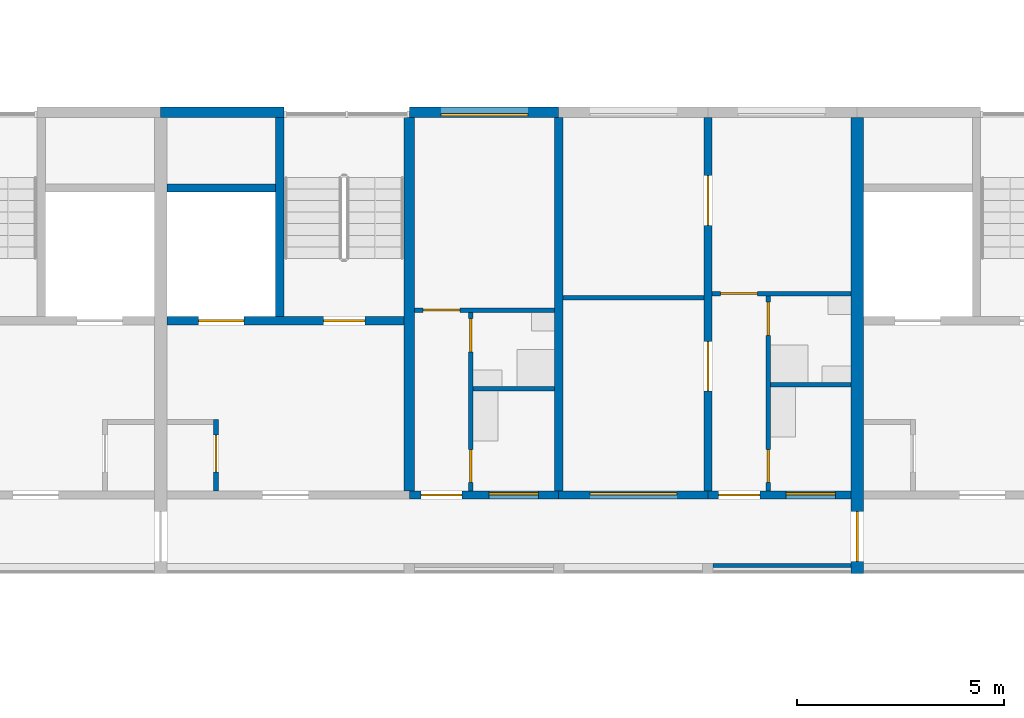
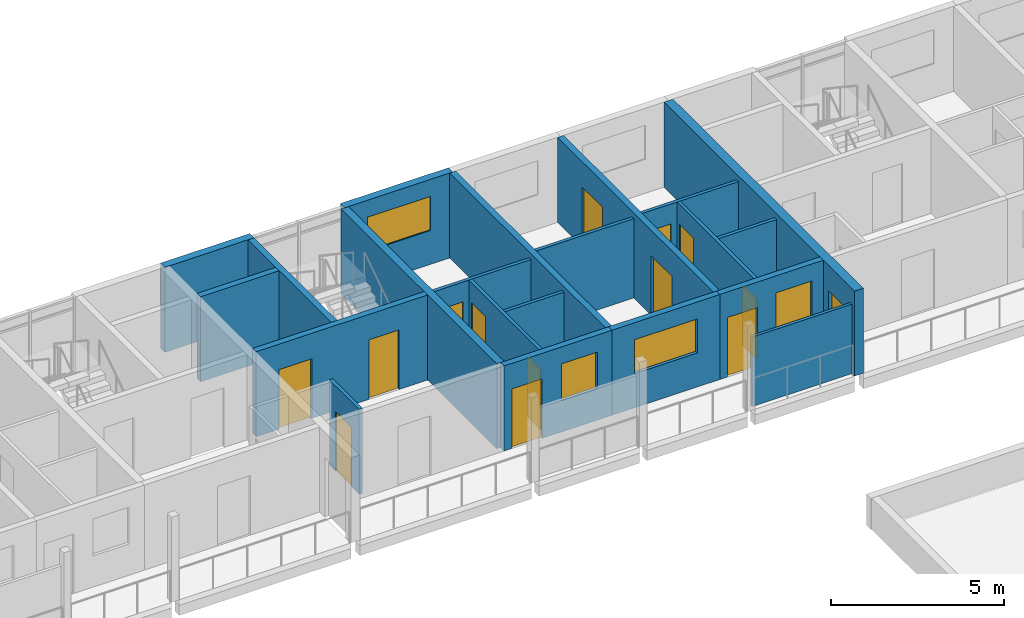
# One storey, part 53 of 115: 21 walls, 14 doors, 4 windows, 18 openings.
"""IFC4 building model written with IfcOpenShell, lengths in metres."""

from ifc_helpers import new_model, si_unit, direction, frame, frame_2d, origin, place, context, subcontext, project, spatial, rectangle, extrude, material, layer, layer_set, type_object, element, fill, save


model = new_model("IFC4")

# Units and contexts
model_context = context("Model", 3, precision=1e-05, world=origin(), true_north=direction((0.0, 1.0)))
body_context = subcontext(model_context, "Body", "Model", "MODEL_VIEW")
ifc_project = project(units=[si_unit("LENGTHUNIT", "METRE"), si_unit("AREAUNIT", "SQUARE_METRE"), si_unit("VOLUMEUNIT", "CUBIC_METRE"), si_unit("PLANEANGLEUNIT", "RADIAN"), si_unit("MASSUNIT", "GRAM", prefix="KILO")], contexts=[model_context])

# Site, building, storey
site_placement = place(None, origin())
site = spatial("IfcSite", under=ifc_project, at=site_placement, CompositionType="ELEMENT")
building_placement = place(site_placement, origin())
building = spatial("IfcBuilding", under=site, at=building_placement, Name="Ridgestep Commons", CompositionType="ELEMENT")
storey_placement = place(building_placement, frame((0.0, 0.0, 6.0)))
storey = spatial("IfcBuildingStorey", under=building, at=storey_placement, Name="L02", CompositionType="ELEMENT", Elevation=6.0)

# Wall
ifc_material_1 = material(Name="Concrete C30/37", Category="concrete")
ifc_layer_1 = layer(ifc_material_1, 0.25)
ifc_layer_set_1 = layer_set([ifc_layer_1], Name="Core cross wall 250")
wall_type_1 = type_object("IfcWallType", Name="Core cross wall 250", PredefinedType="SHEAR", material=ifc_layer_set_1)
wall_1_placement = place(storey_placement, frame((85.199951171875, 68.0, 0.0), z_axis=(0.0, 0.0, 1.0), x_axis=(0.0, 1.0, 0.0)))
element("IfcWall", 1, at=wall_1_placement, inside=storey, type_object=wall_type_1, Name="Cross wall B-02-0852", PredefinedType="SHEAR", context=body_context, shape_type="SweptSolid", body=[
    extrude(rectangle(XDim=9.0, YDim=0.25, at=frame_2d((4.5, 0.0))), origin(), (0.0, 0.0, 1.0), 3.0),
])

# Wall, opening, door
ifc_material_2 = material(Name="Concrete C30/37", Category="concrete")
ifc_layer_2 = layer(ifc_material_2, 0.1201171875)
ifc_layer_set_2 = layer_set([ifc_layer_2], Name="Core wall 120")
wall_type_2 = type_object("IfcWallType", Name="Core wall 120", PredefinedType="SHEAR", material=ifc_layer_set_2)
wall_2_placement = place(storey_placement, frame((80.5400390625, 68.0, 0.0), z_axis=(0.0, 0.0, 1.0), x_axis=(0.0, 1.0, 0.0)))
wall_2 = element("IfcWall", 2, at=wall_2_placement, inside=storey, type_object=wall_type_2, Name="Core riser w wall B5C L02", PredefinedType="SHEAR", context=body_context, shape_type="SweptSolid", body=[
    extrude(rectangle(XDim=1.719970703125, YDim=0.1201171875, at=frame_2d((0.85986328125, 0.0))), origin(), (0.0, 0.0, 1.0), 3.0),
])
opening_1_placement = place(wall_2_placement, frame((0.449951171875, 0.0, 0.0)))
opening_1 = element("IfcOpeningElement", 3, at=opening_1_placement, cuts=wall_2, Name="Opening B5C/02/4", PredefinedType="OPENING", context=body_context, shape_type="SweptSolid", body=[
    extrude(rectangle(XDim=0.89990234375, YDim=2.10009765625, at=frame_2d((0.449951171875, 1.050048828125))), frame((0.0, 0.070068359375, 0.0), z_axis=(0.0, -1.0, 0.0), x_axis=(1.0, 0.0, 0.0)), (0.0, 0.0, 1.0), 0.14013671875),
])
ifc_material_3 = material(Name="Steel fire door", Category="steel")
door_type_1 = type_object("IfcDoorType", Name="Riser door 900 x 2100 FD60", OperationType="NOTDEFINED", PredefinedType="DOOR", material=ifc_material_3)
door_1_placement = place(opening_1_placement, origin())
door_1 = element("IfcDoor", 4, at=door_1_placement, inside=storey, type_object=door_type_1, Name="Riser door B5C/02/4", OperationType="SINGLE_SWING_RIGHT", OverallHeight=2.10009765625, OverallWidth=0.89990234375, PredefinedType="DOOR", context=body_context, shape_type="SweptSolid", body=[
    extrude(rectangle(XDim=0.89990234375, YDim=2.10009765625, at=frame_2d((0.449951171875, 1.050048828125))), frame((0.0, 0.02490234375, 0.0), z_axis=(0.0, -1.0, 0.0), x_axis=(1.0, 0.0, 0.0)), (0.0, 0.0, 1.0), 0.050048828125),
])
fill(opening_1, door_1)

# Wall, openings, doors
ifc_material_4 = material(Name="Concrete C30/37", Category="concrete")
ifc_layer_3 = layer(ifc_material_4, 0.199951171875)
ifc_layer_set_3 = layer_set([ifc_layer_3], Name="Core wall 200")
wall_type_3 = type_object("IfcWallType", Name="Core wall 200", PredefinedType="SHEAR", material=ifc_layer_set_3)
wall_3_placement = place(storey_placement, frame((79.35009765625, 72.10009765625, 0.0), z_axis=(0.0, 0.0, 1.0), x_axis=(1.0, 0.0, 0.0)))
wall_3 = element("IfcWall", 5, at=wall_3_placement, inside=storey, type_object=wall_type_3, Name="Core lobby wall B5C L02", PredefinedType="SHEAR", context=body_context, shape_type="SweptSolid", body=[
    extrude(rectangle(XDim=5.724853515625, YDim=0.199951171875, at=frame_2d((2.8623046875, 0.0))), origin(), (0.0, 0.0, 1.0), 3.0),
])
opening_2_placement = place(wall_3_placement, frame((3.77490234375, 0.0, 0.0)))
opening_2 = element("IfcOpeningElement", 6, at=opening_2_placement, cuts=wall_3, Name="Opening B5C/02/2", PredefinedType="OPENING", context=body_context, shape_type="SweptSolid", body=[
    extrude(rectangle(XDim=1.0, YDim=2.10009765625, at=frame_2d((0.5, 1.050048828125))), frame((0.0, 0.10986328125, 0.0), z_axis=(0.0, -1.0, 0.0), x_axis=(1.0, 0.0, 0.0)), (0.0, 0.0, 1.0), 0.219970703125),
])
opening_3_placement = place(wall_3_placement, frame((0.762451171875, 0.0, 0.0)))
opening_3 = element("IfcOpeningElement", 7, at=opening_3_placement, cuts=wall_3, Name="Opening B5C/02/3", PredefinedType="OPENING", context=body_context, shape_type="SweptSolid", body=[
    extrude(rectangle(XDim=1.10009765625, YDim=2.10009765625, at=frame_2d((0.550048828125, 1.050048828125))), frame((0.0, 0.10986328125, 0.0), z_axis=(0.0, -1.0, 0.0), x_axis=(1.0, 0.0, 0.0)), (0.0, 0.0, 1.0), 0.219970703125),
])
ifc_material_5 = material(Name="Stainless steel", Category="steel")
door_type_2 = type_object("IfcDoorType", Name="Lift landing door 1100 x 2100 FD60", OperationType="DOUBLE_DOOR_SLIDING", PredefinedType="DOOR", material=ifc_material_5)
door_2_placement = place(opening_3_placement, origin())
door_2 = element("IfcDoor", 8, at=door_2_placement, inside=storey, type_object=door_type_2, Name="Landing door LD B5C L02", OperationType="DOUBLE_DOOR_SLIDING", OverallHeight=2.10009765625, OverallWidth=1.10009765625, PredefinedType="DOOR", context=body_context, shape_type="SweptSolid", body=[
    extrude(rectangle(XDim=1.10009765625, YDim=2.10009765625, at=frame_2d((0.550048828125, 1.050048828125))), frame((0.0, 0.02490234375, 0.0), z_axis=(0.0, -1.0, 0.0), x_axis=(1.0, 0.0, 0.0)), (0.0, 0.0, 1.0), 0.050048828125),
])
fill(opening_3, door_2)
ifc_material_6 = material(Name="Steel fire door", Category="steel")
door_type_3 = type_object("IfcDoorType", Name="Stair door 1000 x 2100 FD60", OperationType="NOTDEFINED", PredefinedType="DOOR", material=ifc_material_6)
door_3_placement = place(opening_2_placement, origin())
door_3 = element("IfcDoor", 9, at=door_3_placement, inside=storey, type_object=door_type_3, Name="Stair door B5C/02/2", OperationType="SINGLE_SWING_RIGHT", OverallHeight=2.10009765625, OverallWidth=1.0, PredefinedType="DOOR", context=body_context, shape_type="SweptSolid", body=[
    extrude(rectangle(XDim=1.0, YDim=2.10009765625, at=frame_2d((0.5, 1.050048828125))), frame((0.0, 0.02490234375, 0.0), z_axis=(0.0, -1.0, 0.0), x_axis=(1.0, 0.0, 0.0)), (0.0, 0.0, 1.0), 0.050048828125),
])
fill(opening_2, door_3)

# Walls
wall_4_placement = place(storey_placement, frame((82.074951171875, 72.199951171875, 0.0), z_axis=(0.0, 0.0, 1.0), x_axis=(0.0, 1.0, 0.0)))
element("IfcWall", 10, at=wall_4_placement, inside=storey, type_object=wall_type_3, Name="Core stair wall B5C L02", PredefinedType="SHEAR", context=body_context, shape_type="SweptSolid", body=[
    extrude(rectangle(XDim=4.800048828125, YDim=0.199951171875, at=frame_2d((2.39990234375, 0.0))), origin(), (0.0, 0.0, 1.0), 3.0),
])
wall_5_placement = place(storey_placement, frame((79.35009765625, 75.300048828125, 0.0), z_axis=(0.0, 0.0, 1.0), x_axis=(1.0, 0.0, 0.0)))
element("IfcWall", 11, at=wall_5_placement, inside=storey, type_object=wall_type_3, Name="Core duct wall B5C L02", PredefinedType="SHEAR", context=body_context, shape_type="SweptSolid", body=[
    extrude(rectangle(XDim=2.625, YDim=0.199951171875, at=frame_2d((1.3125, 0.0))), origin(), (0.0, 0.0, 1.0), 3.0),
])
ifc_material_7 = material(Name="Precast concrete C40/50", Category="concrete")
ifc_layer_4 = layer(ifc_material_7, 0.199951171875)
ifc_layer_set_4 = layer_set([ifc_layer_4], Name="Cross wall 200")
wall_type_4 = type_object("IfcWallType", Name="Cross wall 200", PredefinedType="SHEAR", material=ifc_layer_set_4)
wall_6_placement = place(storey_placement, frame((88.800048828125, 68.0, 0.0), z_axis=(0.0, 0.0, 1.0), x_axis=(0.0, 1.0, 0.0)))
element("IfcWall", 12, at=wall_6_placement, inside=storey, type_object=wall_type_4, Name="Cross wall B-02-0888", PredefinedType="SHEAR", context=body_context, shape_type="SweptSolid", body=[
    extrude(rectangle(XDim=9.0, YDim=0.199951171875, at=frame_2d((4.5, 0.0))), origin(), (0.0, 0.0, 1.0), 3.0),
])

# Wall, openings, doors
wall_7_placement = place(storey_placement, frame((92.39990234375, 68.0, 0.0), z_axis=(0.0, 0.0, 1.0), x_axis=(0.0, 1.0, 0.0)))
wall_7 = element("IfcWall", 13, at=wall_7_placement, inside=storey, type_object=wall_type_4, Name="Cross wall B-02-0924", PredefinedType="SHEAR", context=body_context, shape_type="SweptSolid", body=[
    extrude(rectangle(XDim=9.0, YDim=0.199951171875, at=frame_2d((4.5, 0.0))), origin(), (0.0, 0.0, 1.0), 3.0),
])
opening_4_placement = place(wall_7_placement, frame((2.39990234375, 0.0, 0.0)))
opening_4 = element("IfcOpeningElement", 14, at=opening_4_placement, cuts=wall_7, Name="Opening B5-02a/5", PredefinedType="OPENING", context=body_context, shape_type="SweptSolid", body=[
    extrude(rectangle(XDim=1.199951171875, YDim=2.10009765625, at=frame_2d((0.60009765625, 1.050048828125))), frame((0.0, 0.10986328125, 0.0), z_axis=(0.0, -1.0, 0.0), x_axis=(1.0, 0.0, 0.0)), (0.0, 0.0, 1.0), 0.219970703125),
])
opening_5_placement = place(wall_7_placement, frame((6.39990234375, 0.0, 0.0)))
opening_5 = element("IfcOpeningElement", 15, at=opening_5_placement, cuts=wall_7, Name="Opening B5-02a/6", PredefinedType="OPENING", context=body_context, shape_type="SweptSolid", body=[
    extrude(rectangle(XDim=1.199951171875, YDim=2.10009765625, at=frame_2d((0.60009765625, 1.050048828125))), frame((0.0, 0.10986328125, 0.0), z_axis=(0.0, -1.0, 0.0), x_axis=(1.0, 0.0, 0.0)), (0.0, 0.0, 1.0), 0.219970703125),
])
ifc_material_8 = material(Name="Timber door leaf", Category="wood")
door_type_4 = type_object("IfcDoorType", Name="Double door 1200 x 2100", OperationType="DOUBLE_DOOR_SINGLE_SWING", PredefinedType="DOOR", material=ifc_material_8)
door_4_placement = place(opening_4_placement, origin())
door_4 = element("IfcDoor", 16, at=door_4_placement, inside=storey, type_object=door_type_4, Name="Double door B5-02a/5", OperationType="DOUBLE_DOOR_SINGLE_SWING", OverallHeight=2.10009765625, OverallWidth=1.199951171875, PredefinedType="DOOR", context=body_context, shape_type="SweptSolid", body=[
    extrude(rectangle(XDim=1.199951171875, YDim=2.10009765625, at=frame_2d((0.60009765625, 1.050048828125))), frame((0.0, 0.02490234375, 0.0), z_axis=(0.0, -1.0, 0.0), x_axis=(1.0, 0.0, 0.0)), (0.0, 0.0, 1.0), 0.050048828125),
])
fill(opening_4, door_4)
door_5_placement = place(opening_5_placement, origin())
door_5 = element("IfcDoor", 17, at=door_5_placement, inside=storey, type_object=door_type_4, Name="Double door B5-02a/6", OperationType="DOUBLE_DOOR_SINGLE_SWING", OverallHeight=2.10009765625, OverallWidth=1.199951171875, PredefinedType="DOOR", context=body_context, shape_type="SweptSolid", body=[
    extrude(rectangle(XDim=1.199951171875, YDim=2.10009765625, at=frame_2d((0.60009765625, 1.050048828125))), frame((0.0, 0.02490234375, 0.0), z_axis=(0.0, -1.0, 0.0), x_axis=(1.0, 0.0, 0.0)), (0.0, 0.0, 1.0), 0.050048828125),
])
fill(opening_5, door_5)

# Wall, opening, door
ifc_material_9 = material(Name="Precast concrete C40/50", Category="concrete")
ifc_layer_5 = layer(ifc_material_9, 0.300048828125)
ifc_layer_set_5 = layer_set([ifc_layer_5], Name="Division wall 300")
wall_type_5 = type_object("IfcWallType", Name="Division wall 300", PredefinedType="SHEAR", material=ifc_layer_set_5)
wall_8_placement = place(storey_placement, frame((96.0, 66.0, 0.0), z_axis=(0.0, 0.0, 1.0), x_axis=(0.0, 1.0, 0.0)))
wall_8 = element("IfcWall", 18, at=wall_8_placement, inside=storey, type_object=wall_type_5, Name="Cross wall B-02-0960", PredefinedType="SHEAR", context=body_context, shape_type="SweptSolid", body=[
    extrude(rectangle(XDim=11.0, YDim=0.300048828125, at=frame_2d((5.5, 0.0))), origin(), (0.0, 0.0, 1.0), 3.0),
])
opening_6_placement = place(wall_8_placement, frame((0.300048828125, 0.0, 0.0)))
opening_6 = element("IfcOpeningElement", 19, at=opening_6_placement, cuts=wall_8, Name="Opening B/02/G0960", PredefinedType="OPENING", context=body_context, shape_type="SweptSolid", body=[
    extrude(rectangle(XDim=1.199951171875, YDim=2.10009765625, at=frame_2d((0.60009765625, 1.050048828125))), frame((0.0, 0.159912109375, 0.0), z_axis=(0.0, -1.0, 0.0), x_axis=(1.0, 0.0, 0.0)), (0.0, 0.0, 1.0), 0.320068359375),
])
ifc_material_10 = material(Name="Steel fire door", Category="steel")
door_type_5 = type_object("IfcDoorType", Name="Division fire door 1200 x 2100 EI 240", OperationType="DOUBLE_DOOR_SINGLE_SWING", PredefinedType="DOOR", material=ifc_material_10)
door_6_placement = place(opening_6_placement, origin())
door_6 = element("IfcDoor", 20, at=door_6_placement, inside=storey, type_object=door_type_5, Name="Division fire door B/02/G0960", OperationType="DOUBLE_DOOR_SINGLE_SWING", OverallHeight=2.10009765625, OverallWidth=1.199951171875, PredefinedType="DOOR", context=body_context, shape_type="SweptSolid", body=[
    extrude(rectangle(XDim=1.199951171875, YDim=2.10009765625, at=frame_2d((0.60009765625, 1.050048828125))), frame((0.0, 0.02490234375, 0.0), z_axis=(0.0, -1.0, 0.0), x_axis=(1.0, 0.0, 0.0)), (0.0, 0.0, 1.0), 0.050048828125),
])
fill(opening_6, door_6)

# Wall
ifc_material_11 = material(Name="Precast concrete C40/50", Category="concrete")
ifc_layer_6 = layer(ifc_material_11, 0.25)
ifc_layer_set_6 = layer_set([ifc_layer_6], Name="North facade panel 250")
wall_type_6 = type_object("IfcWallType", Name="North facade panel 250", PredefinedType="SOLIDWALL", material=ifc_layer_set_6)
wall_9_placement = place(storey_placement, frame((79.199951171875, 77.125, 0.0), z_axis=(0.0, 0.0, 1.0), x_axis=(1.0, 0.0, 0.0)))
element("IfcWall", 21, at=wall_9_placement, inside=storey, type_object=wall_type_6, Name="North panel B5C L02", PredefinedType="SOLIDWALL", context=body_context, shape_type="SweptSolid", body=[
    extrude(rectangle(XDim=2.97509765625, YDim=0.25, at=frame_2d((1.487548828125, 0.0))), origin(), (0.0, 0.0, 1.0), 3.0),
])

# Wall, opening, window
wall_10_placement = place(storey_placement, frame((85.199951171875, 77.125, 0.0), z_axis=(0.0, 0.0, 1.0), x_axis=(1.0, 0.0, 0.0)))
wall_10 = element("IfcWall", 22, at=wall_10_placement, inside=storey, type_object=wall_type_6, Name="North panel B5T3 L02", PredefinedType="SOLIDWALL", context=body_context, shape_type="SweptSolid", body=[
    extrude(rectangle(XDim=3.60009765625, YDim=0.25, at=frame_2d((1.800048828125, 0.0))), origin(), (0.0, 0.0, 1.0), 3.0),
])
opening_7_placement = place(wall_10_placement, frame((0.762451171875, 0.0, 1.199951171875)))
opening_7 = element("IfcOpeningElement", 23, at=opening_7_placement, cuts=wall_10, Name="Opening W22", PredefinedType="OPENING", context=body_context, shape_type="SweptSolid", body=[
    extrude(rectangle(XDim=2.10009765625, YDim=1.199951171875, at=frame_2d((1.050048828125, 0.60009765625))), frame((0.0, 0.135009765625, 0.0), z_axis=(0.0, -1.0, 0.0), x_axis=(1.0, 0.0, 0.0)), (0.0, 0.0, 1.0), 0.27001953125),
])
ifc_material_12 = material(Name="Aluminium 6063-T6 and glass", Category="aluminium")
window_type_1 = type_object("IfcWindowType", Name="Flat window 2100 x 1200", PartitioningType="DOUBLE_PANEL_VERTICAL", PredefinedType="WINDOW", material=ifc_material_12)
window_1_placement = place(opening_7_placement, origin())
window_1 = element("IfcWindow", 24, at=window_1_placement, inside=storey, type_object=window_type_1, Name="Window B5-02b 2", OverallHeight=1.199951171875, OverallWidth=2.10009765625, PartitioningType="SINGLE_PANEL", PredefinedType="WINDOW", context=body_context, shape_type="SweptSolid", body=[
    extrude(rectangle(XDim=2.10009765625, YDim=1.199951171875, at=frame_2d((1.050048828125, 0.60009765625))), frame((0.0, -0.02490234375, 0.0), z_axis=(0.0, -1.0, 0.0), x_axis=(1.0, 0.0, 0.0)), (0.0, 0.0, 1.0), 0.06005859375),
])
fill(opening_7, window_1)

# Wall, openings, doors
ifc_material_13 = material(Name="Common brick 110 mm", Category="masonry")
ifc_layer_7 = layer(ifc_material_13, 0.110107421875)
ifc_layer_set_7 = layer_set([ifc_layer_7], Name="Partition 110")
wall_type_7 = type_object("IfcWallType", Name="Partition 110", PredefinedType="PARTITIONING", material=ifc_layer_set_7)
wall_11_placement = place(storey_placement, frame((93.85498046875, 68.0, 0.0), z_axis=(0.0, 0.0, 1.0), x_axis=(0.0, 1.0, 0.0)))
wall_11 = element("IfcWall", 25, at=wall_11_placement, inside=storey, type_object=wall_type_7, Name="Partition B5-02a", PredefinedType="PARTITIONING", context=body_context, shape_type="SweptSolid", body=[
    extrude(rectangle(XDim=4.699951171875, YDim=0.110107421875, at=frame_2d((2.35009765625, 0.0))), origin(), (0.0, 0.0, 1.0), 2.800048828125),
])
opening_8_placement = place(wall_11_placement, frame((0.199951171875, 0.0, 0.0)))
opening_8 = element("IfcOpeningElement", 26, at=opening_8_placement, cuts=wall_11, Name="Opening B5-02a/2", PredefinedType="OPENING", context=body_context, shape_type="SweptSolid", body=[
    extrude(rectangle(XDim=0.800048828125, YDim=2.10009765625, at=frame_2d((0.39990234375, 1.050048828125))), frame((0.0, 0.06494140625, 0.0), z_axis=(0.0, -1.0, 0.0), x_axis=(1.0, 0.0, 0.0)), (0.0, 0.0, 1.0), 0.130126953125),
])
opening_9_placement = place(wall_11_placement, frame((3.75, 0.0, 0.0)))
opening_9 = element("IfcOpeningElement", 27, at=opening_9_placement, cuts=wall_11, Name="Opening B5-02a/3", PredefinedType="OPENING", context=body_context, shape_type="SweptSolid", body=[
    extrude(rectangle(XDim=0.800048828125, YDim=2.10009765625, at=frame_2d((0.39990234375, 1.050048828125))), frame((0.0, 0.06494140625, 0.0), z_axis=(0.0, -1.0, 0.0), x_axis=(1.0, 0.0, 0.0)), (0.0, 0.0, 1.0), 0.130126953125),
])
ifc_material_14 = material(Name="Timber door leaf", Category="wood")
door_type_6 = type_object("IfcDoorType", Name="Internal door 800 x 2100", OperationType="NOTDEFINED", PredefinedType="DOOR", material=ifc_material_14)
door_7_placement = place(opening_8_placement, origin())
door_7 = element("IfcDoor", 28, at=door_7_placement, inside=storey, type_object=door_type_6, Name="Internal door B5-02a/2", OperationType="SINGLE_SWING_RIGHT", OverallHeight=2.10009765625, OverallWidth=0.800048828125, PredefinedType="DOOR", context=body_context, shape_type="SweptSolid", body=[
    extrude(rectangle(XDim=0.800048828125, YDim=2.10009765625, at=frame_2d((0.39990234375, 1.050048828125))), frame((0.0, 0.02490234375, 0.0), z_axis=(0.0, -1.0, 0.0), x_axis=(1.0, 0.0, 0.0)), (0.0, 0.0, 1.0), 0.050048828125),
])
fill(opening_8, door_7)
door_8_placement = place(opening_9_placement, origin())
door_8 = element("IfcDoor", 29, at=door_8_placement, inside=storey, type_object=door_type_6, Name="Internal door B5-02a/3", OperationType="SINGLE_SWING_LEFT", OverallHeight=2.10009765625, OverallWidth=0.800048828125, PredefinedType="DOOR", context=body_context, shape_type="SweptSolid", body=[
    extrude(rectangle(XDim=0.800048828125, YDim=2.10009765625, at=frame_2d((0.39990234375, 1.050048828125))), frame((0.0, 0.02490234375, 0.0), z_axis=(0.0, -1.0, 0.0), x_axis=(1.0, 0.0, 0.0)), (0.0, 0.0, 1.0), 0.050048828125),
])
fill(opening_9, door_8)

# Wall
wall_12_placement = place(storey_placement, frame((93.909912109375, 70.554931640625, 0.0), z_axis=(0.0, 0.0, 1.0), x_axis=(1.0, 0.0, 0.0)))
element("IfcWall", 30, at=wall_12_placement, inside=storey, type_object=wall_type_7, Name="Partition B5-02a", PredefinedType="PARTITIONING", context=body_context, shape_type="SweptSolid", body=[
    extrude(rectangle(XDim=1.940185546875, YDim=0.110107421875, at=frame_2d((0.97021484375, 0.0))), origin(), (0.0, 0.0, 1.0), 2.800048828125),
])

# Wall, opening, door
wall_13_placement = place(storey_placement, frame((92.5, 72.7548828125, 0.0), z_axis=(0.0, 0.0, 1.0), x_axis=(1.0, 0.0, 0.0)))
wall_13 = element("IfcWall", 31, at=wall_13_placement, inside=storey, type_object=wall_type_7, Name="Partition B5-02a", PredefinedType="PARTITIONING", context=body_context, shape_type="SweptSolid", body=[
    extrude(rectangle(XDim=3.35009765625, YDim=0.110107421875, at=frame_2d((1.675048828125, 0.0))), origin(), (0.0, 0.0, 1.0), 2.800048828125),
])
opening_10_placement = place(wall_13_placement, frame((0.199951171875, 0.0, 0.0)))
opening_10 = element("IfcOpeningElement", 32, at=opening_10_placement, cuts=wall_13, Name="Opening B5-02a/4", PredefinedType="OPENING", context=body_context, shape_type="SweptSolid", body=[
    extrude(rectangle(XDim=0.89990234375, YDim=2.10009765625, at=frame_2d((0.449951171875, 1.050048828125))), frame((0.0, 0.06494140625, 0.0), z_axis=(0.0, -1.0, 0.0), x_axis=(1.0, 0.0, 0.0)), (0.0, 0.0, 1.0), 0.130126953125),
])
ifc_material_15 = material(Name="Timber door leaf", Category="wood")
door_type_7 = type_object("IfcDoorType", Name="Internal door 900 x 2100", OperationType="NOTDEFINED", PredefinedType="DOOR", material=ifc_material_15)
door_9_placement = place(opening_10_placement, origin())
door_9 = element("IfcDoor", 33, at=door_9_placement, inside=storey, type_object=door_type_7, Name="Internal door B5-02a/4", OperationType="SINGLE_SWING_RIGHT", OverallHeight=2.10009765625, OverallWidth=0.89990234375, PredefinedType="DOOR", context=body_context, shape_type="SweptSolid", body=[
    extrude(rectangle(XDim=0.89990234375, YDim=2.10009765625, at=frame_2d((0.449951171875, 1.050048828125))), frame((0.0, 0.02490234375, 0.0), z_axis=(0.0, -1.0, 0.0), x_axis=(1.0, 0.0, 0.0)), (0.0, 0.0, 1.0), 0.050048828125),
])
fill(opening_10, door_9)

# Wall
wall_14_placement = place(storey_placement, frame((88.89990234375, 72.655029296875, 0.0), z_axis=(0.0, 0.0, 1.0), x_axis=(1.0, 0.0, 0.0)))
element("IfcWall", 34, at=wall_14_placement, inside=storey, type_object=wall_type_7, Name="Partition B5-02a", PredefinedType="PARTITIONING", context=body_context, shape_type="SweptSolid", body=[
    extrude(rectangle(XDim=3.400146484375, YDim=0.110107421875, at=frame_2d((1.7001953125, 0.0))), origin(), (0.0, 0.0, 1.0), 2.800048828125),
])

# Wall, openings, doors
wall_15_placement = place(storey_placement, frame((86.679931640625, 68.0, 0.0), z_axis=(0.0, 0.0, 1.0), x_axis=(0.0, 1.0, 0.0)))
wall_15 = element("IfcWall", 35, at=wall_15_placement, inside=storey, type_object=wall_type_7, Name="Partition B5-02b", PredefinedType="PARTITIONING", context=body_context, shape_type="SweptSolid", body=[
    extrude(rectangle(XDim=4.300048828125, YDim=0.110107421875, at=frame_2d((2.14990234375, 0.0))), origin(), (0.0, 0.0, 1.0), 2.800048828125),
])
opening_11_placement = place(wall_15_placement, frame((0.199951171875, 0.0, 0.0)))
opening_11 = element("IfcOpeningElement", 36, at=opening_11_placement, cuts=wall_15, Name="Opening B5-02b/2", PredefinedType="OPENING", context=body_context, shape_type="SweptSolid", body=[
    extrude(rectangle(XDim=0.800048828125, YDim=2.10009765625, at=frame_2d((0.39990234375, 1.050048828125))), frame((0.0, 0.06494140625, 0.0), z_axis=(0.0, -1.0, 0.0), x_axis=(1.0, 0.0, 0.0)), (0.0, 0.0, 1.0), 0.130126953125),
])
opening_12_placement = place(wall_15_placement, frame((3.35009765625, 0.0, 0.0)))
opening_12 = element("IfcOpeningElement", 37, at=opening_12_placement, cuts=wall_15, Name="Opening B5-02b/3", PredefinedType="OPENING", context=body_context, shape_type="SweptSolid", body=[
    extrude(rectangle(XDim=0.800048828125, YDim=2.10009765625, at=frame_2d((0.39990234375, 1.050048828125))), frame((0.0, 0.06494140625, 0.0), z_axis=(0.0, -1.0, 0.0), x_axis=(1.0, 0.0, 0.0)), (0.0, 0.0, 1.0), 0.130126953125),
])
door_10_placement = place(opening_11_placement, origin())
door_10 = element("IfcDoor", 38, at=door_10_placement, inside=storey, type_object=door_type_6, Name="Internal door B5-02b/2", OperationType="SINGLE_SWING_RIGHT", OverallHeight=2.10009765625, OverallWidth=0.800048828125, PredefinedType="DOOR", context=body_context, shape_type="SweptSolid", body=[
    extrude(rectangle(XDim=0.800048828125, YDim=2.10009765625, at=frame_2d((0.39990234375, 1.050048828125))), frame((0.0, 0.02490234375, 0.0), z_axis=(0.0, -1.0, 0.0), x_axis=(1.0, 0.0, 0.0)), (0.0, 0.0, 1.0), 0.050048828125),
])
fill(opening_11, door_10)
door_11_placement = place(opening_12_placement, origin())
door_11 = element("IfcDoor", 39, at=door_11_placement, inside=storey, type_object=door_type_6, Name="Internal door B5-02b/3", OperationType="SINGLE_SWING_LEFT", OverallHeight=2.10009765625, OverallWidth=0.800048828125, PredefinedType="DOOR", context=body_context, shape_type="SweptSolid", body=[
    extrude(rectangle(XDim=0.800048828125, YDim=2.10009765625, at=frame_2d((0.39990234375, 1.050048828125))), frame((0.0, 0.02490234375, 0.0), z_axis=(0.0, -1.0, 0.0), x_axis=(1.0, 0.0, 0.0)), (0.0, 0.0, 1.0), 0.050048828125),
])
fill(opening_12, door_11)

# Wall
wall_16_placement = place(storey_placement, frame((86.735107421875, 70.455078125, 0.0), z_axis=(0.0, 0.0, 1.0), x_axis=(1.0, 0.0, 0.0)))
element("IfcWall", 40, at=wall_16_placement, inside=storey, type_object=wall_type_7, Name="Partition B5-02b", PredefinedType="PARTITIONING", context=body_context, shape_type="SweptSolid", body=[
    extrude(rectangle(XDim=1.96484375, YDim=0.110107421875, at=frame_2d((0.982421875, 0.0))), origin(), (0.0, 0.0, 1.0), 2.800048828125),
])

# Wall, opening, door
wall_17_placement = place(storey_placement, frame((85.324951171875, 72.35498046875, 0.0), z_axis=(0.0, 0.0, 1.0), x_axis=(1.0, 0.0, 0.0)))
wall_17 = element("IfcWall", 41, at=wall_17_placement, inside=storey, type_object=wall_type_7, Name="Partition B5-02b", PredefinedType="PARTITIONING", context=body_context, shape_type="SweptSolid", body=[
    extrude(rectangle(XDim=3.375, YDim=0.110107421875, at=frame_2d((1.6875, 0.0))), origin(), (0.0, 0.0, 1.0), 2.800048828125),
])
opening_13_placement = place(wall_17_placement, frame((0.199951171875, 0.0, 0.0)))
opening_13 = element("IfcOpeningElement", 42, at=opening_13_placement, cuts=wall_17, Name="Opening B5-02b/4", PredefinedType="OPENING", context=body_context, shape_type="SweptSolid", body=[
    extrude(rectangle(XDim=0.89990234375, YDim=2.10009765625, at=frame_2d((0.449951171875, 1.050048828125))), frame((0.0, 0.06494140625, 0.0), z_axis=(0.0, -1.0, 0.0), x_axis=(1.0, 0.0, 0.0)), (0.0, 0.0, 1.0), 0.130126953125),
])
door_12_placement = place(opening_13_placement, origin())
door_12 = element("IfcDoor", 43, at=door_12_placement, inside=storey, type_object=door_type_7, Name="Internal door B5-02b/4", OperationType="SINGLE_SWING_LEFT", OverallHeight=2.10009765625, OverallWidth=0.89990234375, PredefinedType="DOOR", context=body_context, shape_type="SweptSolid", body=[
    extrude(rectangle(XDim=0.89990234375, YDim=2.10009765625, at=frame_2d((0.449951171875, 1.050048828125))), frame((0.0, 0.02490234375, 0.0), z_axis=(0.0, -1.0, 0.0), x_axis=(1.0, 0.0, 0.0)), (0.0, 0.0, 1.0), 0.050048828125),
])
fill(opening_13, door_12)

# Wall
ifc_material_16 = material(Name="Precast concrete C30/37", Category="concrete")
ifc_layer_8 = layer(ifc_material_16, 0.10009765625)
ifc_layer_set_8 = layer_set([ifc_layer_8], Name="Perforated gallery screen 3325 x 2450 x 100")
wall_type_8 = type_object("IfcWallType", Name="Perforated gallery screen 3325 x 2450 x 100", PredefinedType="SOLIDWALL", material=ifc_layer_set_8)
wall_18_placement = place(storey_placement, frame((92.52490234375, 66.199951171875, 0.0), z_axis=(0.0, 0.0, 1.0), x_axis=(1.0, 0.0, 0.0)))
element("IfcWall", 44, at=wall_18_placement, inside=storey, type_object=wall_type_8, Name="Gallery screen B5T1 02", PredefinedType="SOLIDWALL", context=body_context, shape_type="SweptSolid", body=[
    extrude(rectangle(XDim=3.3251953125, YDim=0.10009765625, at=frame_2d((1.66259765625, 0.0))), origin(), (0.0, 0.0, 1.0), 2.449951171875),
])

# Wall, openings, door, window
ifc_material_17 = material(Name="Precast concrete C40/50", Category="concrete")
ifc_layer_9 = layer(ifc_material_17, 0.199951171875)
ifc_layer_set_9 = layer_set([ifc_layer_9], Name="South facade panel 200")
wall_type_9 = type_object("IfcWallType", Name="South facade panel 200", PredefinedType="SOLIDWALL", material=ifc_layer_set_9)
wall_19_placement = place(storey_placement, frame((85.199951171875, 67.89990234375, 0.0), z_axis=(0.0, 0.0, 1.0), x_axis=(1.0, 0.0, 0.0)))
wall_19 = element("IfcWall", 45, at=wall_19_placement, inside=storey, type_object=wall_type_9, Name="South panel B5T3 L02", PredefinedType="SOLIDWALL", context=body_context, shape_type="SweptSolid", body=[
    extrude(rectangle(XDim=3.60009765625, YDim=0.199951171875, at=frame_2d((1.800048828125, 0.0))), origin(), (0.0, 0.0, 1.0), 3.0),
])
opening_14_placement = place(wall_19_placement, frame((1.91748046875, 0.0, 1.10009765625)))
opening_14 = element("IfcOpeningElement", 46, at=opening_14_placement, cuts=wall_19, Name="Opening W08", PredefinedType="OPENING", context=body_context, shape_type="SweptSolid", body=[
    extrude(rectangle(XDim=1.199951171875, YDim=1.300048828125, at=frame_2d((0.60009765625, 0.64990234375))), frame((0.0, 0.10986328125, 0.0), z_axis=(0.0, -1.0, 0.0), x_axis=(1.0, 0.0, 0.0)), (0.0, 0.0, 1.0), 0.219970703125),
])
opening_15_placement = place(wall_19_placement, frame((0.27490234375, 0.0, 0.0)))
opening_15 = element("IfcOpeningElement", 47, at=opening_15_placement, cuts=wall_19, Name="Opening B5-02b/1", PredefinedType="OPENING", context=body_context, shape_type="SweptSolid", body=[
    extrude(rectangle(XDim=1.0, YDim=2.10009765625, at=frame_2d((0.5, 1.050048828125))), frame((0.0, 0.10986328125, 0.0), z_axis=(0.0, -1.0, 0.0), x_axis=(1.0, 0.0, 0.0)), (0.0, 0.0, 1.0), 0.219970703125),
])
ifc_material_18 = material(Name="Timber door leaf", Category="wood")
door_type_8 = type_object("IfcDoorType", Name="Flat entrance door 1000 x 2100 FD30S", OperationType="NOTDEFINED", PredefinedType="DOOR", material=ifc_material_18)
door_13_placement = place(opening_15_placement, origin())
door_13 = element("IfcDoor", 48, at=door_13_placement, inside=storey, type_object=door_type_8, Name="Flat entrance door B5-02b/1", OperationType="SINGLE_SWING_LEFT", OverallHeight=2.10009765625, OverallWidth=1.0, PredefinedType="DOOR", context=body_context, shape_type="SweptSolid", body=[
    extrude(rectangle(XDim=1.0, YDim=2.10009765625, at=frame_2d((0.5, 1.050048828125))), frame((0.0, 0.02490234375, 0.0), z_axis=(0.0, -1.0, 0.0), x_axis=(1.0, 0.0, 0.0)), (0.0, 0.0, 1.0), 0.050048828125),
])
fill(opening_15, door_13)
ifc_material_19 = material(Name="Aluminium 6063-T6 and glass", Category="aluminium")
window_type_2 = type_object("IfcWindowType", Name="Flat window 1200 x 1300", PartitioningType="SINGLE_PANEL", PredefinedType="WINDOW", material=ifc_material_19)
window_2_placement = place(opening_14_placement, origin())
window_2 = element("IfcWindow", 49, at=window_2_placement, inside=storey, type_object=window_type_2, Name="Window B5-02b 1", OverallHeight=1.300048828125, OverallWidth=1.199951171875, PartitioningType="SINGLE_PANEL", PredefinedType="WINDOW", context=body_context, shape_type="SweptSolid", body=[
    extrude(rectangle(XDim=1.199951171875, YDim=1.300048828125, at=frame_2d((0.60009765625, 0.64990234375))), frame((0.0, 0.06005859375, 0.0), z_axis=(0.0, -1.0, 0.0), x_axis=(1.0, 0.0, 0.0)), (0.0, 0.0, 1.0), 0.06005859375),
])
fill(opening_14, window_2)

# Wall, opening, window
wall_20_placement = place(storey_placement, frame((88.800048828125, 67.89990234375, 0.0), z_axis=(0.0, 0.0, 1.0), x_axis=(1.0, 0.0, 0.0)))
wall_20 = element("IfcWall", 50, at=wall_20_placement, inside=storey, type_object=wall_type_9, Name="South panel B5T2 L02", PredefinedType="SOLIDWALL", context=body_context, shape_type="SweptSolid", body=[
    extrude(rectangle(XDim=3.599853515625, YDim=0.199951171875, at=frame_2d((1.7998046875, 0.0))), origin(), (0.0, 0.0, 1.0), 3.0),
])
opening_16_placement = place(wall_20_placement, frame((0.75, 0.0, 1.199951171875)))
opening_16 = element("IfcOpeningElement", 51, at=opening_16_placement, cuts=wall_20, Name="Opening W22", PredefinedType="OPENING", context=body_context, shape_type="SweptSolid", body=[
    extrude(rectangle(XDim=2.10009765625, YDim=1.199951171875, at=frame_2d((1.050048828125, 0.60009765625))), frame((0.0, 0.10986328125, 0.0), z_axis=(0.0, -1.0, 0.0), x_axis=(1.0, 0.0, 0.0)), (0.0, 0.0, 1.0), 0.219970703125),
])
window_3_placement = place(opening_16_placement, origin())
window_3 = element("IfcWindow", 52, at=window_3_placement, inside=storey, type_object=window_type_1, Name="Window B5-02a 1", OverallHeight=1.199951171875, OverallWidth=2.10009765625, PartitioningType="SINGLE_PANEL", PredefinedType="WINDOW", context=body_context, shape_type="SweptSolid", body=[
    extrude(rectangle(XDim=2.10009765625, YDim=1.199951171875, at=frame_2d((1.050048828125, 0.60009765625))), frame((0.0, 0.06005859375, 0.0), z_axis=(0.0, -1.0, 0.0), x_axis=(1.0, 0.0, 0.0)), (0.0, 0.0, 1.0), 0.06005859375),
])
fill(opening_16, window_3)

# Wall, openings, door, window
wall_21_placement = place(storey_placement, frame((92.39990234375, 67.89990234375, 0.0), z_axis=(0.0, 0.0, 1.0), x_axis=(1.0, 0.0, 0.0)))
wall_21 = element("IfcWall", 53, at=wall_21_placement, inside=storey, type_object=wall_type_9, Name="South panel B5T1 L02", PredefinedType="SOLIDWALL", context=body_context, shape_type="SweptSolid", body=[
    extrude(rectangle(XDim=3.4501953125, YDim=0.199951171875, at=frame_2d((1.72509765625, 0.0))), origin(), (0.0, 0.0, 1.0), 3.0),
])
opening_17_placement = place(wall_21_placement, frame((1.8798828125, 0.0, 1.10009765625)))
opening_17 = element("IfcOpeningElement", 54, at=opening_17_placement, cuts=wall_21, Name="Opening W08", PredefinedType="OPENING", context=body_context, shape_type="SweptSolid", body=[
    extrude(rectangle(XDim=1.199951171875, YDim=1.300048828125, at=frame_2d((0.60009765625, 0.64990234375))), frame((0.0, 0.10986328125, 0.0), z_axis=(0.0, -1.0, 0.0), x_axis=(1.0, 0.0, 0.0)), (0.0, 0.0, 1.0), 0.219970703125),
])
opening_18_placement = place(wall_21_placement, frame((0.25, 0.0, 0.0)))
opening_18 = element("IfcOpeningElement", 55, at=opening_18_placement, cuts=wall_21, Name="Opening B5-02a/1", PredefinedType="OPENING", context=body_context, shape_type="SweptSolid", body=[
    extrude(rectangle(XDim=1.0, YDim=2.10009765625, at=frame_2d((0.5, 1.050048828125))), frame((0.0, 0.10986328125, 0.0), z_axis=(0.0, -1.0, 0.0), x_axis=(1.0, 0.0, 0.0)), (0.0, 0.0, 1.0), 0.219970703125),
])
door_14_placement = place(opening_18_placement, origin())
door_14 = element("IfcDoor", 56, at=door_14_placement, inside=storey, type_object=door_type_8, Name="Flat entrance door B5-02a/1", OperationType="SINGLE_SWING_LEFT", OverallHeight=2.10009765625, OverallWidth=1.0, PredefinedType="DOOR", context=body_context, shape_type="SweptSolid", body=[
    extrude(rectangle(XDim=1.0, YDim=2.10009765625, at=frame_2d((0.5, 1.050048828125))), frame((0.0, 0.02490234375, 0.0), z_axis=(0.0, -1.0, 0.0), x_axis=(1.0, 0.0, 0.0)), (0.0, 0.0, 1.0), 0.050048828125),
])
fill(opening_18, door_14)
window_4_placement = place(opening_17_placement, origin())
window_4 = element("IfcWindow", 57, at=window_4_placement, inside=storey, type_object=window_type_2, Name="Window B5-02a 3", OverallHeight=1.300048828125, OverallWidth=1.199951171875, PartitioningType="SINGLE_PANEL", PredefinedType="WINDOW", context=body_context, shape_type="SweptSolid", body=[
    extrude(rectangle(XDim=1.199951171875, YDim=1.300048828125, at=frame_2d((0.60009765625, 0.64990234375))), frame((0.0, 0.06005859375, 0.0), z_axis=(0.0, -1.0, 0.0), x_axis=(1.0, 0.0, 0.0)), (0.0, 0.0, 1.0), 0.06005859375),
])
fill(opening_17, window_4)

save(model, "model.ifc")
